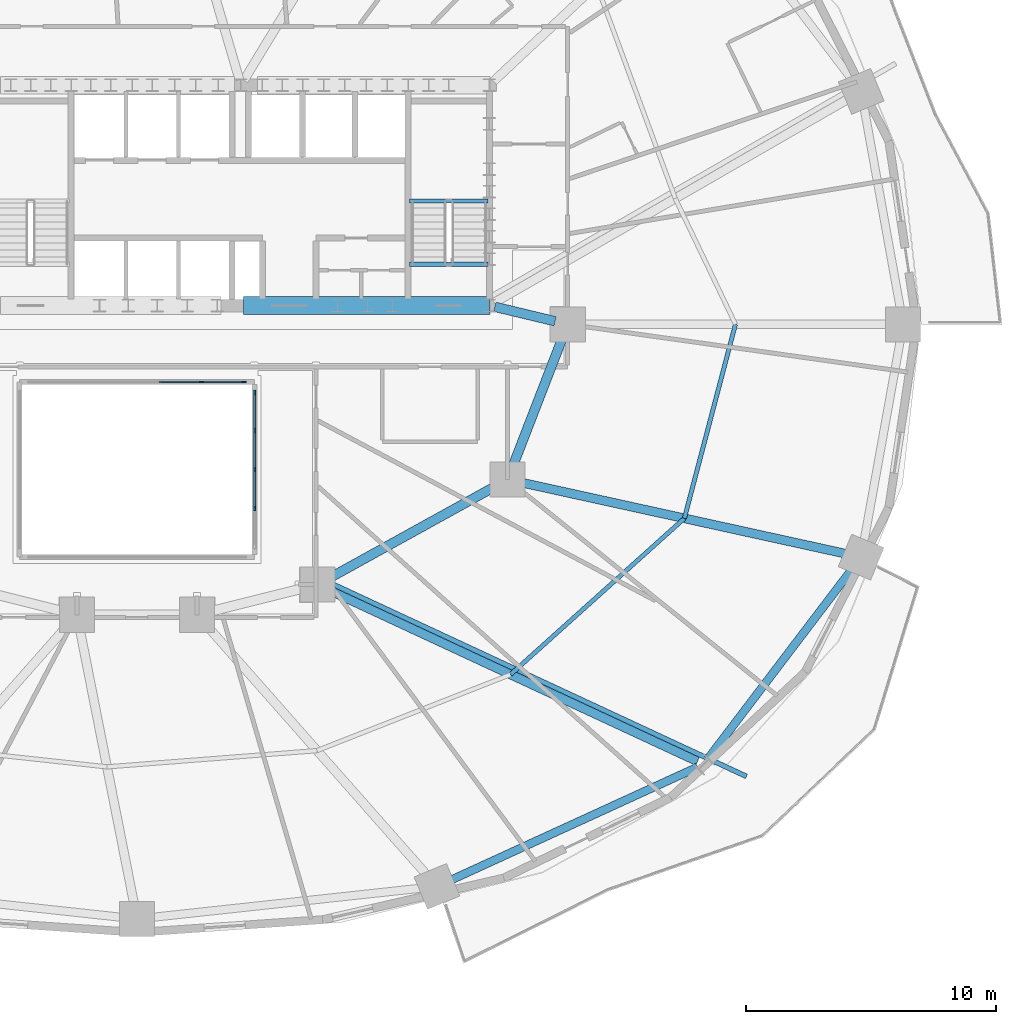
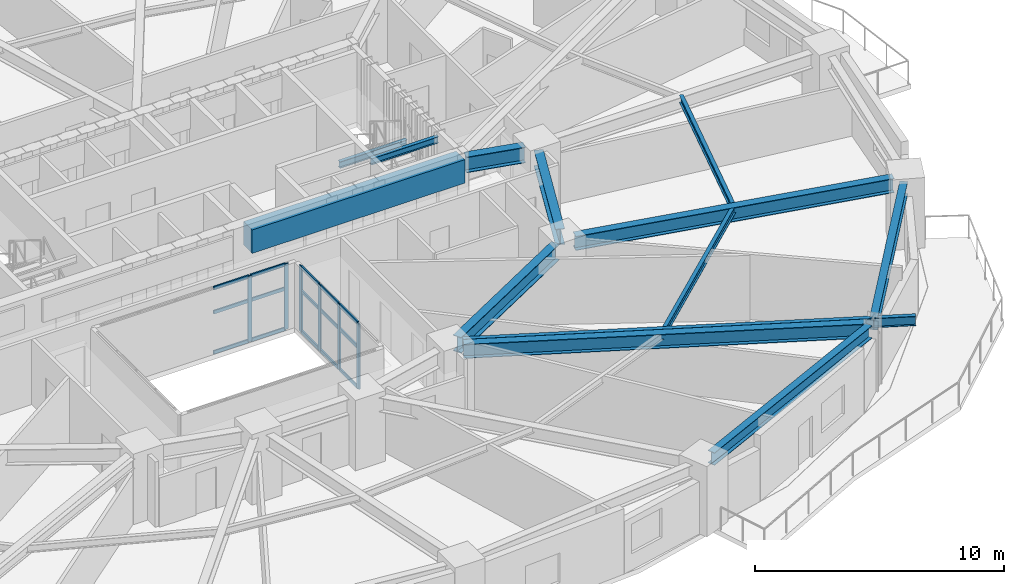
# One storey, part 6 of 17: 21 members, 13 beams, 2 elements without a shape of their own.
"""IFC4 building model written with IfcOpenShell, lengths in metres."""

from ifc_helpers import new_model, si_unit, direction, frame, origin, origin_2d, place, context, subcontext, project, spatial, rectangle, i_section, extrude, material, material_profile, profile_set, type_object, element, aggregate, save


model = new_model("IFC4")

# Units and contexts
model_context = context("Model", 3, precision=1e-05, world=origin(), true_north=direction((0.0, 1.0)))
body_context = subcontext(model_context, "Body", "Model", "MODEL_VIEW")
ifc_project = project(units=[si_unit("LENGTHUNIT", "METRE"), si_unit("AREAUNIT", "SQUARE_METRE"), si_unit("VOLUMEUNIT", "CUBIC_METRE"), si_unit("PLANEANGLEUNIT", "RADIAN"), si_unit("MASSUNIT", "GRAM", prefix="KILO")], contexts=[model_context])

# Site, building, storey
site_placement = place(None, origin())
site = spatial("IfcSite", under=ifc_project, at=site_placement, CompositionType="ELEMENT")
building_placement = place(site_placement, origin())
building = spatial("IfcBuilding", under=site, at=building_placement, Name="Haldorwick Loom Tower", CompositionType="ELEMENT")
storey_placement = place(building_placement, frame((0.0, 0.0, 61.949951171875)))
storey = spatial("IfcBuildingStorey", under=building, at=storey_placement, Name="L16", CompositionType="ELEMENT", Elevation=61.949951171875)

# Curtain wall, members
ifc_material_1 = material(Name="Thermally Broken Anodized Aluminium Curtain Wall Framing", Category="aluminium")
curtain_wall_type = type_object("IfcCurtainWallType", Name="ARC-CW-03", PredefinedType="NOTDEFINED", material=ifc_material_1)
curtain_wall_1_placement = place(storey_placement, origin())
curtain_wall_1 = element("IfcCurtainWall", 1, at=curtain_wall_1_placement, inside=storey, type_object=curtain_wall_type, Name="L16 Atrium Glazed Screen N", PredefinedType="NOTDEFINED")
ifc_material_profile_1 = material_profile(ifc_material_1, rectangle(XDim=0.06591796875, YDim=0.18505859375, at=origin_2d()), Name="ALU_MUL_66X185", Category="aluminium")
ifc_profile_set_1 = profile_set([ifc_material_profile_1], Name="Thermally Broken Anodized Aluminium Curtain Wall Framing")
member_type_1 = type_object("IfcMemberType", Name="ARC-CWM-03", PredefinedType="MULLION", material=ifc_profile_set_1)
member_1_placement = place(storey_placement, frame((38.580078125, 23.699951171875, 0.0), z_axis=(0.0, 0.0, 1.0), x_axis=(0.0, 1.0, 0.0)))
member_1 = element("IfcMember", 2, at=member_1_placement, type_object=member_type_1, Name="CW-03 mullion 5", PredefinedType="MULLION", context=body_context, shape_type="SweptSolid", body=[
    extrude(rectangle(XDim=0.06591796875, YDim=0.18505859375, at=origin_2d()), origin(), (0.0, 0.0, 1.0), 3.2099609375),
])
member_2_placement = place(storey_placement, frame((40.26708984375, 23.699951171875, 0.0), z_axis=(0.0, 0.0, 1.0), x_axis=(0.0, 1.0, 0.0)))
member_2 = element("IfcMember", 3, at=member_2_placement, type_object=member_type_1, Name="CW-03 mullion 6", PredefinedType="MULLION", context=body_context, shape_type="SweptSolid", body=[
    extrude(rectangle(XDim=0.06591796875, YDim=0.18505859375, at=origin_2d()), origin(), (0.0, 0.0, 1.0), 3.2099609375),
])

curtain_wall_2_placement = place(storey_placement, origin())
curtain_wall_2 = element("IfcCurtainWall", 4, at=curtain_wall_2_placement, inside=storey, type_object=curtain_wall_type, Name="L16 Atrium Glazed Screen E", PredefinedType="NOTDEFINED")
member_3_placement = place(storey_placement, frame((40.699951171875, 23.26708984375, 0.0), z_axis=(0.0, 0.0, 1.0), x_axis=(1.0, 0.0, 0.0)))
member_3 = element("IfcMember", 5, at=member_3_placement, type_object=member_type_1, Name="CW-03 mullion 1", PredefinedType="MULLION", context=body_context, shape_type="SweptSolid", body=[
    extrude(rectangle(XDim=0.06591796875, YDim=0.18505859375, at=origin_2d()), origin(), (0.0, 0.0, 1.0), 3.2099609375),
])
member_4_placement = place(storey_placement, frame((40.699951171875, 21.75, 0.0), z_axis=(0.0, 0.0, 1.0), x_axis=(1.0, 0.0, 0.0)))
member_4 = element("IfcMember", 6, at=member_4_placement, type_object=member_type_1, Name="CW-03 mullion 2", PredefinedType="MULLION", context=body_context, shape_type="SweptSolid", body=[
    extrude(rectangle(XDim=0.06591796875, YDim=0.18505859375, at=origin_2d()), origin(), (0.0, 0.0, 1.0), 3.2099609375),
])
member_5_placement = place(storey_placement, frame((40.699951171875, 20.199951171875, 0.0), z_axis=(0.0, 0.0, 1.0), x_axis=(1.0, 0.0, 0.0)))
member_5 = element("IfcMember", 7, at=member_5_placement, type_object=member_type_1, Name="CW-03 mullion 3", PredefinedType="MULLION", context=body_context, shape_type="SweptSolid", body=[
    extrude(rectangle(XDim=0.06591796875, YDim=0.18505859375, at=origin_2d()), origin(), (0.0, 0.0, 1.0), 3.2099609375),
])
member_6_placement = place(storey_placement, frame((40.699951171875, 18.64990234375, 0.0), z_axis=(0.0, 0.0, 1.0), x_axis=(1.0, 0.0, 0.0)))
member_6 = element("IfcMember", 8, at=member_6_placement, type_object=member_type_1, Name="CW-03 mullion 4", PredefinedType="MULLION", context=body_context, shape_type="SweptSolid", body=[
    extrude(rectangle(XDim=0.06591796875, YDim=0.18505859375, at=origin_2d()), origin(), (0.0, 0.0, 1.0), 3.2099609375),
])

# Member
ifc_material_profile_2 = material_profile(ifc_material_1, rectangle(XDim=0.06591796875, YDim=0.1650390625, at=origin_2d()), Name="ALU_TRN_66X165", Category="aluminium")
ifc_profile_set_2 = profile_set([ifc_material_profile_2], Name="Thermally Broken Anodized Aluminium Curtain Wall Framing")
member_type_2 = type_object("IfcMemberType", Name="ARC-CWT-03", PredefinedType="USERDEFINED", material=ifc_profile_set_2)
member_7_placement = place(storey_placement, frame((36.89306640625, 23.699951171875, 0.032958984375), z_axis=(1.0, 0.0, 0.0), x_axis=(0.0, 1.0, 0.0)))
member_7 = element("IfcMember", 9, at=member_7_placement, type_object=member_type_2, Name="CW-03 transom 4.1", ObjectType="TRANSOM", PredefinedType="USERDEFINED", context=body_context, shape_type="SweptSolid", body=[
    extrude(rectangle(XDim=0.06591796875, YDim=0.1650390625, at=origin_2d()), origin(), (0.0, 0.0, 1.0), 1.654052734375),
])

member_8_placement = place(storey_placement, frame((36.89306640625, 23.699951171875, 2.0), z_axis=(1.0, 0.0, 0.0), x_axis=(0.0, 1.0, 0.0)))
member_8 = element("IfcMember", 10, at=member_8_placement, type_object=member_type_2, Name="CW-03 transom 4.2", ObjectType="TRANSOM", PredefinedType="USERDEFINED", context=body_context, shape_type="SweptSolid", body=[
    extrude(rectangle(XDim=0.06591796875, YDim=0.1650390625, at=origin_2d()), origin(), (0.0, 0.0, 1.0), 1.654052734375),
])

member_9_placement = place(storey_placement, frame((36.89306640625, 23.699951171875, 3.177001953125), z_axis=(1.0, 0.0, 0.0), x_axis=(0.0, 1.0, 0.0)))
member_9 = element("IfcMember", 11, at=member_9_placement, type_object=member_type_2, Name="CW-03 transom 4.3", ObjectType="TRANSOM", PredefinedType="USERDEFINED", context=body_context, shape_type="SweptSolid", body=[
    extrude(rectangle(XDim=0.06591796875, YDim=0.1650390625, at=origin_2d()), origin(), (0.0, 0.0, 1.0), 1.654052734375),
])

member_10_placement = place(storey_placement, frame((38.613037109375, 23.699951171875, 0.032958984375), z_axis=(1.0, 0.0, 0.0), x_axis=(0.0, 1.0, 0.0)))
member_10 = element("IfcMember", 12, at=member_10_placement, type_object=member_type_2, Name="CW-03 transom 5.1", ObjectType="TRANSOM", PredefinedType="USERDEFINED", context=body_context, shape_type="SweptSolid", body=[
    extrude(rectangle(XDim=0.06591796875, YDim=0.1650390625, at=origin_2d()), origin(), (0.0, 0.0, 1.0), 1.620849609375),
])

member_11_placement = place(storey_placement, frame((38.613037109375, 23.699951171875, 2.0), z_axis=(1.0, 0.0, 0.0), x_axis=(0.0, 1.0, 0.0)))
member_11 = element("IfcMember", 13, at=member_11_placement, type_object=member_type_2, Name="CW-03 transom 5.2", ObjectType="TRANSOM", PredefinedType="USERDEFINED", context=body_context, shape_type="SweptSolid", body=[
    extrude(rectangle(XDim=0.06591796875, YDim=0.1650390625, at=origin_2d()), origin(), (0.0, 0.0, 1.0), 1.620849609375),
])

member_12_placement = place(storey_placement, frame((38.613037109375, 23.699951171875, 3.177001953125), z_axis=(1.0, 0.0, 0.0), x_axis=(0.0, 1.0, 0.0)))
member_12 = element("IfcMember", 14, at=member_12_placement, type_object=member_type_2, Name="CW-03 transom 5.3", ObjectType="TRANSOM", PredefinedType="USERDEFINED", context=body_context, shape_type="SweptSolid", body=[
    extrude(rectangle(XDim=0.06591796875, YDim=0.1650390625, at=origin_2d()), origin(), (0.0, 0.0, 1.0), 1.620849609375),
])

aggregate(curtain_wall_1, [member_1, member_2, member_7, member_8, member_9, member_10, member_11, member_12])

member_13_placement = place(storey_placement, frame((40.699951171875, 23.23388671875, 0.032958984375), z_axis=(0.0, -1.0, 0.0), x_axis=(1.0, 0.0, 0.0)))
member_13 = element("IfcMember", 15, at=member_13_placement, type_object=member_type_2, Name="CW-03 transom 1.1", ObjectType="TRANSOM", PredefinedType="USERDEFINED", context=body_context, shape_type="SweptSolid", body=[
    extrude(rectangle(XDim=0.06591796875, YDim=0.1650390625, at=origin_2d()), origin(), (0.0, 0.0, 1.0), 1.450927734375),
])

member_14_placement = place(storey_placement, frame((40.699951171875, 23.23388671875, 2.0), z_axis=(0.0, -1.0, 0.0), x_axis=(1.0, 0.0, 0.0)))
member_14 = element("IfcMember", 16, at=member_14_placement, type_object=member_type_2, Name="CW-03 transom 1.2", ObjectType="TRANSOM", PredefinedType="USERDEFINED", context=body_context, shape_type="SweptSolid", body=[
    extrude(rectangle(XDim=0.06591796875, YDim=0.1650390625, at=origin_2d()), origin(), (0.0, 0.0, 1.0), 1.450927734375),
])

member_15_placement = place(storey_placement, frame((40.699951171875, 23.23388671875, 3.177001953125), z_axis=(0.0, -1.0, 0.0), x_axis=(1.0, 0.0, 0.0)))
member_15 = element("IfcMember", 17, at=member_15_placement, type_object=member_type_2, Name="CW-03 transom 1.3", ObjectType="TRANSOM", PredefinedType="USERDEFINED", context=body_context, shape_type="SweptSolid", body=[
    extrude(rectangle(XDim=0.06591796875, YDim=0.1650390625, at=origin_2d()), origin(), (0.0, 0.0, 1.0), 1.450927734375),
])

member_16_placement = place(storey_placement, frame((40.699951171875, 21.717041015625, 0.032958984375), z_axis=(0.0, -1.0, 0.0), x_axis=(1.0, 0.0, 0.0)))
member_16 = element("IfcMember", 18, at=member_16_placement, type_object=member_type_2, Name="CW-03 transom 2.1", ObjectType="TRANSOM", PredefinedType="USERDEFINED", context=body_context, shape_type="SweptSolid", body=[
    extrude(rectangle(XDim=0.06591796875, YDim=0.1650390625, at=origin_2d()), origin(), (0.0, 0.0, 1.0), 1.484130859375),
])

member_17_placement = place(storey_placement, frame((40.699951171875, 21.717041015625, 2.0), z_axis=(0.0, -1.0, 0.0), x_axis=(1.0, 0.0, 0.0)))
member_17 = element("IfcMember", 19, at=member_17_placement, type_object=member_type_2, Name="CW-03 transom 2.2", ObjectType="TRANSOM", PredefinedType="USERDEFINED", context=body_context, shape_type="SweptSolid", body=[
    extrude(rectangle(XDim=0.06591796875, YDim=0.1650390625, at=origin_2d()), origin(), (0.0, 0.0, 1.0), 1.484130859375),
])

member_18_placement = place(storey_placement, frame((40.699951171875, 21.717041015625, 3.177001953125), z_axis=(0.0, -1.0, 0.0), x_axis=(1.0, 0.0, 0.0)))
member_18 = element("IfcMember", 20, at=member_18_placement, type_object=member_type_2, Name="CW-03 transom 2.3", ObjectType="TRANSOM", PredefinedType="USERDEFINED", context=body_context, shape_type="SweptSolid", body=[
    extrude(rectangle(XDim=0.06591796875, YDim=0.1650390625, at=origin_2d()), origin(), (0.0, 0.0, 1.0), 1.484130859375),
])

member_19_placement = place(storey_placement, frame((40.699951171875, 20.1669921875, 0.032958984375), z_axis=(0.0, -1.0, 0.0), x_axis=(1.0, 0.0, 0.0)))
member_19 = element("IfcMember", 21, at=member_19_placement, type_object=member_type_2, Name="CW-03 transom 3.1", ObjectType="TRANSOM", PredefinedType="USERDEFINED", context=body_context, shape_type="SweptSolid", body=[
    extrude(rectangle(XDim=0.06591796875, YDim=0.1650390625, at=origin_2d()), origin(), (0.0, 0.0, 1.0), 1.48388671875),
])

member_20_placement = place(storey_placement, frame((40.699951171875, 20.1669921875, 2.0), z_axis=(0.0, -1.0, 0.0), x_axis=(1.0, 0.0, 0.0)))
member_20 = element("IfcMember", 22, at=member_20_placement, type_object=member_type_2, Name="CW-03 transom 3.2", ObjectType="TRANSOM", PredefinedType="USERDEFINED", context=body_context, shape_type="SweptSolid", body=[
    extrude(rectangle(XDim=0.06591796875, YDim=0.1650390625, at=origin_2d()), origin(), (0.0, 0.0, 1.0), 1.48388671875),
])

member_21_placement = place(storey_placement, frame((40.699951171875, 20.1669921875, 3.177001953125), z_axis=(0.0, -1.0, 0.0), x_axis=(1.0, 0.0, 0.0)))
member_21 = element("IfcMember", 23, at=member_21_placement, type_object=member_type_2, Name="CW-03 transom 3.3", ObjectType="TRANSOM", PredefinedType="USERDEFINED", context=body_context, shape_type="SweptSolid", body=[
    extrude(rectangle(XDim=0.06591796875, YDim=0.1650390625, at=origin_2d()), origin(), (0.0, 0.0, 1.0), 1.48388671875),
])

aggregate(curtain_wall_2, [member_3, member_4, member_5, member_6, member_13, member_14, member_15, member_16, member_17, member_18, member_19, member_20, member_21])

# Beams
ifc_material_2 = material(Name="Steel CSA G40.21 350W", Category="steel")
ifc_material_profile_3 = material_profile(ifc_material_2, i_section(OverallWidth=0.193115234375, OverallDepth=0.466064453125, WebThickness=0.011474609375, FlangeThickness=0.01904296875, at=origin_2d()), Name="W460X97", Category="steel")
ifc_profile_set_3 = profile_set([ifc_material_profile_3], Name="Steel CSA G40.21 350W")
beam_type_1 = type_object("IfcBeamType", Name="STR-BM-BAL460", PredefinedType="BEAM", material=ifc_profile_set_3)
beam_1_placement = place(storey_placement, frame((43.78955078125, 15.634765625, 2.97705078125), z_axis=(0.906835669686, -0.42148436292, 0.0), x_axis=(0.42148436292, 0.906835669686, 0.0)))
element("IfcBeam", 24, at=beam_1_placement, inside=storey, type_object=beam_type_1, Name="L16 Continuous Back-Spanned Balcony Beam 1", PredefinedType="BEAM", context=body_context, shape_type="SweptSolid", body=[
    extrude(i_section(OverallWidth=0.193115234375, OverallDepth=0.466064453125, WebThickness=0.011474609375, FlangeThickness=0.01904296875, at=origin_2d()), origin(), (0.0, 0.0, 1.0), 18.245361328125),
])
ifc_material_3 = material(Name="Concrete C60 (60 MPa)", Category="concrete")
ifc_material_profile_4 = material_profile(ifc_material_3, rectangle(XDim=0.699951171875, YDim=1.14990234375, at=origin_2d()), Name="RC700X1150", Category="concrete")
ifc_profile_set_4 = profile_set([ifc_material_profile_4], Name="Concrete C60 (60 MPa)")
beam_type_2 = type_object("IfcBeamType", Name="STR-BM-CB1150", PredefinedType="LINTEL", material=ifc_profile_set_4)
beam_2_placement = place(storey_placement, frame((40.25, 26.75, 2.635009765625), z_axis=(1.0, 0.0, 0.0), x_axis=(0.0, 1.0, 0.0)))
element("IfcBeam", 25, at=beam_2_placement, inside=storey, type_object=beam_type_2, Name="L16 Core Coupling Beam CB-S3", PredefinedType="LINTEL", context=body_context, shape_type="SweptSolid", body=[
    extrude(rectangle(XDim=0.699951171875, YDim=1.14990234375, at=origin_2d()), origin(), (0.0, 0.0, 1.0), 9.85009765625),
])
ifc_material_profile_5 = material_profile(ifc_material_2, i_section(OverallWidth=0.172119140625, OverallDepth=0.35791015625, WebThickness=0.0078125, FlangeThickness=0.01318359375, at=origin_2d()), Name="W360X57", Category="steel")
ifc_profile_set_5 = profile_set([ifc_material_profile_5], Name="Steel CSA G40.21 350W")
beam_type_3 = type_object("IfcBeamType", Name="STR-BM-J360", PredefinedType="JOIST", material=ifc_profile_set_5)
beam_3_placement = place(storey_placement, frame((50.9150390625, 12.01416015625, 3.031005859375), z_axis=(0.743981830112, 0.668199847698, 0.0), x_axis=(-0.668199847698, 0.743981830112, 0.0)))
element("IfcBeam", 26, at=beam_3_placement, inside=storey, type_object=beam_type_3, Name="L16 Mid-Bay Secondary Joist 15", PredefinedType="JOIST", context=body_context, shape_type="SweptSolid", body=[
    extrude(i_section(OverallWidth=0.172119140625, OverallDepth=0.35791015625, WebThickness=0.0078125, FlangeThickness=0.01318359375, at=origin_2d()), origin(), (0.0, 0.0, 1.0), 9.3330078125),
])
beam_4_placement = place(storey_placement, frame((57.858642578125, 18.25048828125, 3.031005859375), z_axis=(0.2544888003, 0.967075721193, 0.0), x_axis=(-0.967075721193, 0.2544888003, 0.0)))
element("IfcBeam", 27, at=beam_4_placement, inside=storey, type_object=beam_type_3, Name="L16 Mid-Bay Secondary Joist 16", PredefinedType="JOIST", context=body_context, shape_type="SweptSolid", body=[
    extrude(i_section(OverallWidth=0.172119140625, OverallDepth=0.35791015625, WebThickness=0.0078125, FlangeThickness=0.01318359375, at=origin_2d()), origin(), (0.0, 0.0, 1.0), 8.013427734375),
])
ifc_material_profile_6 = material_profile(ifc_material_2, i_section(OverallWidth=0.324951171875, OverallDepth=0.615966796875, WebThickness=0.013916015625, FlangeThickness=0.021484375, at=origin_2d()), Name="W610X174", Category="steel")
ifc_profile_set_6 = profile_set([ifc_material_profile_6], Name="Steel CSA G40.21 350W")
beam_type_4 = type_object("IfcBeamType", Name="STR-BM-SP610", PredefinedType="SPANDREL", material=ifc_profile_set_6)
beam_5_placement = place(storey_placement, frame((48.45068359375, 3.76611328125, 2.902099609375), z_axis=(0.909173805321, 0.416416848504, 0.0), x_axis=(-0.416416848504, 0.909173805321, 0.0)))
element("IfcBeam", 28, at=beam_5_placement, inside=storey, type_object=beam_type_4, Name="L16 Perimeter Spandrel 14", PredefinedType="SPANDREL", context=body_context, shape_type="SweptSolid", body=[
    extrude(i_section(OverallWidth=0.324951171875, OverallDepth=0.615966796875, WebThickness=0.013916015625, FlangeThickness=0.021484375, at=origin_2d()), origin(), (0.0, 0.0, 1.0), 10.92138671875),
])
beam_6_placement = place(storey_placement, frame((58.796630859375, 8.647216796875, 2.902099609375), z_axis=(0.605084557744, 0.796161213562, 0.0), x_axis=(-0.796161213562, 0.605084557744, 0.0)))
element("IfcBeam", 29, at=beam_6_placement, inside=storey, type_object=beam_type_4, Name="L16 Perimeter Spandrel 15", PredefinedType="SPANDREL", context=body_context, shape_type="SweptSolid", body=[
    extrude(i_section(OverallWidth=0.324951171875, OverallDepth=0.615966796875, WebThickness=0.013916015625, FlangeThickness=0.021484375, at=origin_2d()), origin(), (0.0, 0.0, 1.0), 9.595703125),
])
ifc_material_profile_7 = material_profile(ifc_material_2, i_section(OverallWidth=0.166015625, OverallDepth=0.31298828125, WebThickness=0.006591796875, FlangeThickness=0.01123046875, at=origin_2d()), Name="W310X45", Category="steel")
ifc_profile_set_7 = profile_set([ifc_material_profile_7], Name="Steel CSA G40.21 350W")
beam_type_5 = type_object("IfcBeamType", Name="STR-BM-STRM", PredefinedType="BEAM", material=ifc_profile_set_7)
for number, where, z_axis, x_axis, name in (
    (30, (46.889892578125, 28.39990234375, 3.053466796875), (1.0, 0.0, 0.0), (0.0, 1.0, 0.0), "L16 Stair ST-02 Landing Edge Trimmer"),
    (31, (46.889892578125, 30.919921875, 1.36865234375), (1.0, 0.0, 0.0), (0.0, 1.0, 0.0), "L16 Stair ST-02 Half-Landing Trimmer 1"),
):
    element("IfcBeam", number, at=place(storey_placement, frame(where, z_axis=z_axis, x_axis=x_axis)), inside=storey, type_object=beam_type_5, Name=name, PredefinedType="BEAM", context=body_context, shape_type="SweptSolid", body=[
        extrude(i_section(OverallWidth=0.166015625, OverallDepth=0.31298828125, WebThickness=0.006591796875, FlangeThickness=0.01123046875, at=origin_2d()), origin(), (0.0, 0.0, 1.0), 3.1201171875),
    ])
ifc_material_profile_8 = material_profile(ifc_material_2, i_section(OverallWidth=0.35498046875, OverallDepth=0.695068359375, WebThickness=0.015380859375, FlangeThickness=0.02490234375, at=origin_2d()), Name="W690X217", Category="steel")
ifc_profile_set_8 = profile_set([ifc_material_profile_8], Name="Steel CSA G40.21 350W")
beam_type_6 = type_object("IfcBeamType", Name="STR-BM-W690", PredefinedType="BEAM", material=ifc_profile_set_8)
beam_7_placement = place(storey_placement, frame((43.671630859375, 15.380859375, 2.862548828125), z_axis=(0.90683498532, -0.421485835349, 0.0), x_axis=(0.421485835349, 0.90683498532, 0.0)))
element("IfcBeam", 32, at=beam_7_placement, inside=storey, type_object=beam_type_6, Name="L16 Radial Floor Girder 15", PredefinedType="BEAM", context=body_context, shape_type="SweptSolid", body=[
    extrude(i_section(OverallWidth=0.35498046875, OverallDepth=0.695068359375, WebThickness=0.015380859375, FlangeThickness=0.02490234375, at=origin_2d()), origin(), (0.0, 0.0, 1.0), 16.220458984375),
])
beam_8_placement = place(storey_placement, frame((51.307861328125, 19.6884765625, 2.862548828125), z_axis=(0.976740159434, -0.214426353203, 0.0), x_axis=(0.214426353203, 0.976740159434, 0.0)))
element("IfcBeam", 33, at=beam_8_placement, inside=storey, type_object=beam_type_6, Name="L16 Radial Floor Girder 16", PredefinedType="BEAM", context=body_context, shape_type="SweptSolid", body=[
    extrude(i_section(OverallWidth=0.35498046875, OverallDepth=0.695068359375, WebThickness=0.015380859375, FlangeThickness=0.02490234375, at=origin_2d()), origin(), (0.0, 0.0, 1.0), 13.41357421875),
])
ifc_material_profile_9 = material_profile(ifc_material_2, i_section(OverallWidth=0.381103515625, OverallDepth=0.77294921875, WebThickness=0.0166015625, FlangeThickness=0.027587890625, at=origin_2d()), Name="W760X257", Category="steel")
ifc_profile_set_9 = profile_set([ifc_material_profile_9], Name="Steel CSA G40.21 350W")
beam_type_7 = type_object("IfcBeamType", Name="STR-BM-W760", PredefinedType="BEAM", material=ifc_profile_set_9)
beam_9_placement = place(storey_placement, frame((50.288818359375, 26.697509765625, 2.823486328125), z_axis=(0.97247055837, -0.233025777764, 0.0), x_axis=(0.233025777764, 0.97247055837, 0.0)))
element("IfcBeam", 34, at=beam_9_placement, inside=storey, type_object=beam_type_7, Name="L16 Inner Ring Girder 1", PredefinedType="BEAM", context=body_context, shape_type="SweptSolid", body=[
    extrude(i_section(OverallWidth=0.381103515625, OverallDepth=0.77294921875, WebThickness=0.0166015625, FlangeThickness=0.027587890625, at=origin_2d()), origin(), (0.0, 0.0, 1.0), 2.4736328125),
])
beam_10_placement = place(storey_placement, frame((53.01220703125, 25.51513671875, 2.823486328125), z_axis=(-0.360964792353, -0.93257944363, 0.0), x_axis=(0.93257944363, -0.360964792353, 0.0)))
element("IfcBeam", 35, at=beam_10_placement, inside=storey, type_object=beam_type_7, Name="L16 Inner Ring Girder 2", PredefinedType="BEAM", context=body_context, shape_type="SweptSolid", body=[
    extrude(i_section(OverallWidth=0.381103515625, OverallDepth=0.77294921875, WebThickness=0.0166015625, FlangeThickness=0.027587890625, at=origin_2d()), origin(), (0.0, 0.0, 1.0), 5.6083984375),
])
beam_11_placement = place(storey_placement, frame((50.344970703125, 19.548583984375, 2.823486328125), z_axis=(-0.875244382146, -0.483680960471, 0.0), x_axis=(0.483680960471, -0.875244382146, 0.0)))
element("IfcBeam", 36, at=beam_11_placement, inside=storey, type_object=beam_type_7, Name="L16 Inner Ring Girder 3", PredefinedType="BEAM", context=body_context, shape_type="SweptSolid", body=[
    extrude(i_section(OverallWidth=0.381103515625, OverallDepth=0.77294921875, WebThickness=0.0166015625, FlangeThickness=0.027587890625, at=origin_2d()), origin(), (0.0, 0.0, 1.0), 7.6435546875),
])

save(model, "model.ifc")
